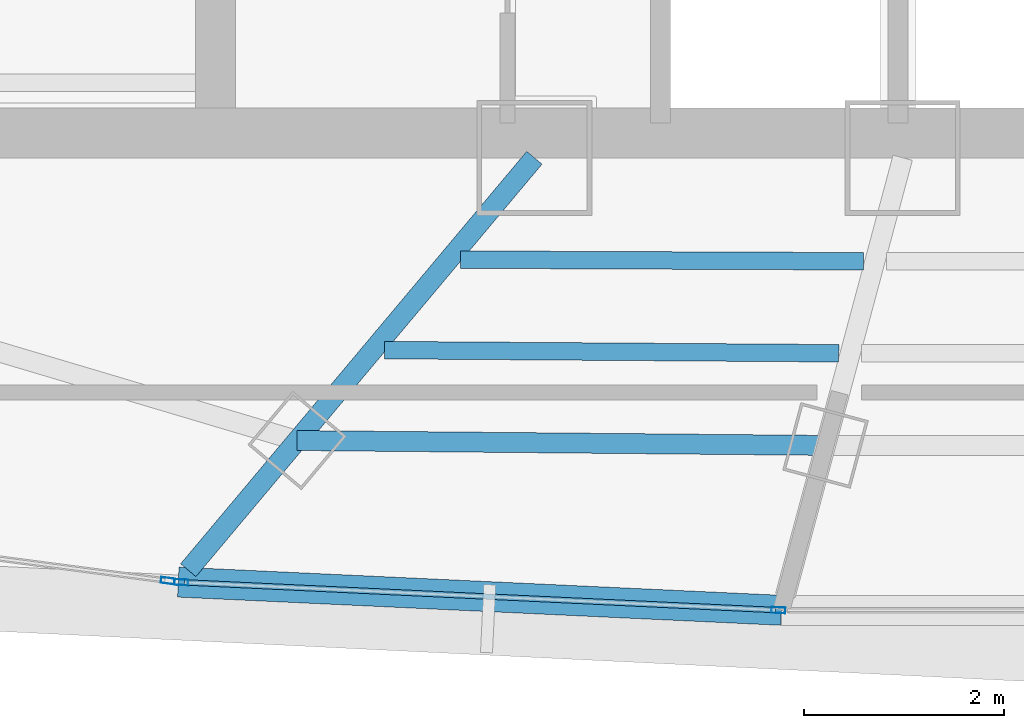
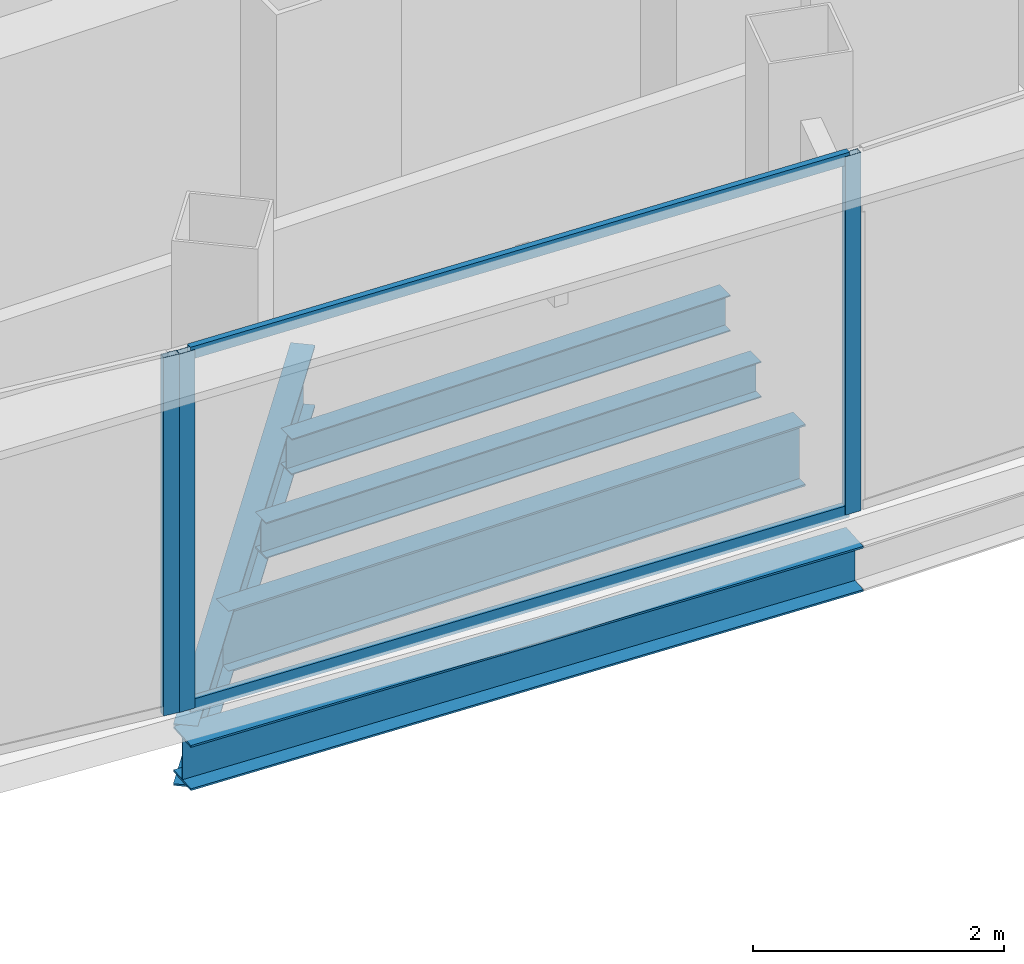
# One storey, part 4 of 29: 5 beams, 5 members, 2 elements without a shape of their own.
"""IFC4 building model written with IfcOpenShell, lengths in metres."""

import ifcopenshell
import ifcopenshell.guid

model = None  # the IFC model being written
_history = None  # IfcOwnerHistory: only IFC2X3 demands one
_inside = {}  # id of a spatial element -> (the spatial element, [elements in it])
_under = {}  # id of a project, library or spatial element -> (it, [spatial elements below it])
_declared = {}  # id of a project -> (the project, [libraries it declares])
_typed = {}  # id of a type object -> (the type object, [elements of that type])
_made_of = {}  # id of a material, layer set ... -> (it, [elements and type objects made of it])


def new_model(schema):
    """Start an empty IFC model of exactly this schema.

    Asked for "IFC4X3", IfcOpenShell would pick the latest addendum, in which some entities
    have other attributes; the version numbers below select the first issue.
    IFC2X3 requires an IfcOwnerHistory on every rooted entity: one is made here for all.
    """
    global model, _history
    if schema == "IFC4X3":
        model = ifcopenshell.file(schema_version=(4, 3, 0, 0))
    else:
        model = ifcopenshell.file(schema=schema)
    _inside.clear()
    _under.clear()
    _declared.clear()
    _typed.clear()
    _made_of.clear()
    _history = None
    if model.schema == "IFC2X3":
        org = make("IfcOrganization", Name="unknown")
        user = make(
            "IfcPersonAndOrganization",
            ThePerson=make("IfcPerson", FamilyName="unknown"),
            TheOrganization=org,
        )
        app = make(
            "IfcApplication",
            ApplicationDeveloper=org,
            Version="unknown",
            ApplicationFullName="unknown",
            ApplicationIdentifier="unknown",
        )
        _history = make(
            "IfcOwnerHistory",
            OwningUser=user,
            OwningApplication=app,
            ChangeAction="ADDED",
            CreationDate=0,
        )
    return model


def make(cls, **values):
    """One entity of the class cls with the attributes given. An attribute that is None is left unset."""
    return model.create_entity(
        cls, **{name: value for name, value in values.items() if value is not None}
    )


def rooted(cls, **values):
    """An entity with a GlobalId (a new one), such as an element, a storey or a relation."""
    return make(cls, GlobalId=ifcopenshell.guid.new(), OwnerHistory=_history, **values)


def si_unit(unit_type, name, prefix=None):
    """IfcSIUnit, for example si_unit("LENGTHUNIT", "METRE", prefix="MILLI")."""
    return make("IfcSIUnit", UnitType=unit_type, Prefix=prefix, Name=name)


def assignment(units):
    """IfcUnitAssignment: the units of a project."""
    return None if units is None else make("IfcUnitAssignment", Units=units)


def point(xyz):
    """IfcCartesianPoint."""
    return None if xyz is None else make("IfcCartesianPoint", Coordinates=xyz)


def direction(xyz):
    """IfcDirection."""
    return None if xyz is None else make("IfcDirection", DirectionRatios=xyz)


def frame(location, z_axis=None, x_axis=None):
    """IfcAxis2Placement3D, a coordinate frame: its origin and axes. An axis left out is left unset."""
    return make(
        "IfcAxis2Placement3D",
        Location=point(location),
        Axis=direction(z_axis),
        RefDirection=direction(x_axis),
    )


def frame_2d(location, x_axis=None):
    """IfcAxis2Placement2D, a coordinate frame in the plane: its origin and x axis."""
    return make(
        "IfcAxis2Placement2D", Location=point(location), RefDirection=direction(x_axis)
    )


def origin():
    """The frame at (0, 0, 0) with its axes left unset."""
    return frame((0.0, 0.0, 0.0))


def origin_2d():
    """The frame at (0, 0) in the plane with its x axis left unset."""
    return frame_2d((0.0, 0.0))


def place(relative_to, where):
    """IfcLocalPlacement: puts the frame where relative to a parent placement (None: the world)."""
    return make(
        "IfcLocalPlacement", PlacementRelTo=relative_to, RelativePlacement=where
    )


def context(
    kind, dimensions, precision=None, world=None, true_north=None, identifier=None
):
    """IfcGeometricRepresentationContext, for example the 3D "Model" context."""
    return make(
        "IfcGeometricRepresentationContext",
        ContextIdentifier=identifier,
        ContextType=kind,
        CoordinateSpaceDimension=dimensions,
        Precision=precision,
        WorldCoordinateSystem=world,
        TrueNorth=true_north,
    )


def subcontext(parent, identifier, kind, view, scale=None):
    """IfcGeometricRepresentationSubContext, for example "Body" below "Model"."""
    return make(
        "IfcGeometricRepresentationSubContext",
        ContextIdentifier=identifier,
        ContextType=kind,
        ParentContext=parent,
        TargetScale=scale,
        TargetView=view,
    )


def project(units=None, contexts=None):
    """IfcProject with its units and contexts."""
    return rooted(
        "IfcProject",
        Name="project",
        RepresentationContexts=contexts,
        UnitsInContext=assignment(units),
    )


def spatial(cls, under=None, at=None, **own):
    """A site, building, storey or space (cls), placed at a placement, below another one or the project."""
    s = rooted(cls, ObjectPlacement=at, **own)
    if under is not None:
        _under.setdefault(under.id(), (under, []))[1].append(s)
    return s


def profile(cls, at=None, kind="AREA", **sizes):
    """A parametric profile (cls). Its sizes go by their IFC names, for example OverallWidth=200.0."""
    return make(cls, ProfileType=kind, Position=at, **sizes)


def hollow_rectangle(**sizes):
    """IfcRectangleHollowProfileDef."""
    return profile("IfcRectangleHollowProfileDef", **sizes)


def i_section(**sizes):
    """IfcIShapeProfileDef."""
    return profile("IfcIShapeProfileDef", **sizes)


def extrude(swept, where, along, depth):
    """IfcExtrudedAreaSolid: the profile swept, set in the frame where, extruded along a direction by depth."""
    return make(
        "IfcExtrudedAreaSolid",
        SweptArea=swept,
        Position=where,
        ExtrudedDirection=direction(along),
        Depth=depth,
    )


def shape(context_of_items, identifier, shape_type, items):
    """IfcShapeRepresentation: the items that make up one representation, for example the "Body"."""
    return make(
        "IfcShapeRepresentation",
        ContextOfItems=context_of_items,
        RepresentationIdentifier=identifier,
        RepresentationType=shape_type,
        Items=items,
    )


def source(mapping_origin, context_of_items, identifier, shape_type, items):
    """IfcRepresentationMap: a shape defined once, which mapped items show again and again."""
    return make(
        "IfcRepresentationMap",
        MappingOrigin=mapping_origin,
        MappedRepresentation=shape(context_of_items, identifier, shape_type, items),
    )


def transform(
    local_origin,
    x_axis=None,
    y_axis=None,
    z_axis=None,
    scale=None,
    scale2=None,
    scale3=None,
    uniform=True,
):
    """IfcCartesianTransformationOperator3D, or its non-uniform kind. x_axis, y_axis, z_axis: its Axis1, 2, 3."""
    if uniform:
        return make(
            "IfcCartesianTransformationOperator3D",
            Axis1=direction(x_axis),
            Axis2=direction(y_axis),
            LocalOrigin=point(local_origin),
            Scale=scale,
            Axis3=direction(z_axis),
        )
    return make(
        "IfcCartesianTransformationOperator3DnonUniform",
        Axis1=direction(x_axis),
        Axis2=direction(y_axis),
        LocalOrigin=point(local_origin),
        Scale=scale,
        Axis3=direction(z_axis),
        Scale2=scale2,
        Scale3=scale3,
    )


def mapped(mapping_source, mapping_target):
    """IfcMappedItem: shows the shape of a source again, moved by a transform."""
    return make(
        "IfcMappedItem", MappingSource=mapping_source, MappingTarget=mapping_target
    )


def material(Name=None, Category=None):
    """IfcMaterial."""
    return make("IfcMaterial", Name=Name, Category=Category)


def layer(
    of_material, thickness, ventilated=None, Name=None, Category=None, Priority=None
):
    """IfcMaterialLayer: one layer of a wall or slab, of a material (None: an air gap)."""
    return make(
        "IfcMaterialLayer",
        Material=of_material,
        LayerThickness=thickness,
        IsVentilated=ventilated,
        Name=Name,
        Category=Category,
        Priority=Priority,
    )


def layer_set(layers, Name=None):
    """IfcMaterialLayerSet."""
    return make("IfcMaterialLayerSet", MaterialLayers=layers, LayerSetName=Name)


def material_profile(
    of_material, cross_section, Name=None, Category=None, Priority=None
):
    """IfcMaterialProfile: a cross section and its material."""
    return make(
        "IfcMaterialProfile",
        Name=Name,
        Material=of_material,
        Profile=cross_section,
        Priority=Priority,
        Category=Category,
    )


def profile_set(profiles, Name=None, composite=None):
    """IfcMaterialProfileSet."""
    return make(
        "IfcMaterialProfileSet",
        Name=Name,
        MaterialProfiles=profiles,
        CompositeProfile=composite,
    )


def made_of(thing, what):
    """Note that an element or type object is made of a material, layer set ...; save() writes the relation."""
    if what is not None:
        _made_of.setdefault(what.id(), (what, []))[1].append(thing)
    return thing


def type_object(cls, material=None, **own):
    """A type object (cls), such as IfcWallType, which elements share."""
    return made_of(rooted(cls, **own), material)


def element(
    cls,
    number,
    at=None,
    inside=None,
    cuts=None,
    type_object=None,
    material=None,
    context=None,
    identifier="Body",
    shape_type=None,
    held_by="IfcProductDefinitionShape",
    body=None,
    shapes=None,
    **own,
):
    """One element of the class cls, such as IfcWall. Its Tag is "e" and its number.

    at: its placement. inside: the storey or other place that contains it. cuts: it is an
    opening in that element (IfcRelVoidsElement). A single representation is given by context,
    identifier, shape_type and body (its items); several are given by shapes. held_by: the class
    of the entity that holds the representations. save() writes the other relations.
    """
    e = rooted(cls, Tag="e%d" % number, ObjectPlacement=at, **own)
    if body is not None:
        shapes = [shape(context, identifier, shape_type, body)]
    if shapes is not None:
        e.Representation = make(held_by, Representations=shapes)
    if inside is not None:
        _inside.setdefault(inside.id(), (inside, []))[1].append(e)
    if cuts is not None:
        rooted(
            "IfcRelVoidsElement", RelatingBuildingElement=cuts, RelatedOpeningElement=e
        )
    if type_object is not None:
        _typed.setdefault(type_object.id(), (type_object, []))[1].append(e)
    return made_of(e, material)


def aggregate(whole, parts):
    """IfcRelAggregates: a whole, such as a stair, and the parts it consists of."""
    return rooted("IfcRelAggregates", RelatingObject=whole, RelatedObjects=parts)


def save(model, path):
    """Write the relations noted so far, then the file.

    IfcRelAggregates (storeys below a building ...), IfcRelContainedInSpatialStructure (elements
    in a storey), IfcRelDefinesByType, IfcRelAssociatesMaterial and IfcRelDeclares: one each for
    every whole, place, type object, material and project.
    """
    for whole, parts in _under.values():
        aggregate(whole, parts)
    for where, things in _inside.values():
        rooted(
            "IfcRelContainedInSpatialStructure",
            RelatedElements=things,
            RelatingStructure=where,
        )
    for kind, things in _typed.values():
        rooted("IfcRelDefinesByType", RelatedObjects=things, RelatingType=kind)
    for what, things in _made_of.values():
        rooted("IfcRelAssociatesMaterial", RelatedObjects=things, RelatingMaterial=what)
    for by, libraries in _declared.values():
        rooted("IfcRelDeclares", RelatingContext=by, RelatedDefinitions=libraries)
    model.write(path)


model = new_model("IFC4")

# Units and contexts
model_context = context("Model", 3, precision=1e-05, world=origin(), true_north=direction((0.0, 1.0)))
body_context = subcontext(model_context, "Body", "Model", "MODEL_VIEW")
ifc_project = project(units=[si_unit("LENGTHUNIT", "METRE"), si_unit("AREAUNIT", "SQUARE_METRE"), si_unit("VOLUMEUNIT", "CUBIC_METRE"), si_unit("PLANEANGLEUNIT", "RADIAN"), si_unit("MASSUNIT", "GRAM", prefix="KILO"), si_unit("THERMODYNAMICTEMPERATUREUNIT", "KELVIN"), si_unit("POWERUNIT", "WATT")], contexts=[model_context])

# Site, building, storey
site_placement = place(None, origin())
site = spatial("IfcSite", under=ifc_project, at=site_placement, CompositionType="ELEMENT")
building_placement = place(site_placement, origin())
building = spatial("IfcBuilding", under=site, at=building_placement, Name="Yunzhuo Pagoda Commons", CompositionType="ELEMENT")
storey_placement = place(building_placement, frame((0.0, 0.0, 359.260009765625)))
storey = spatial("IfcBuildingStorey", under=building, at=storey_placement, Name="L90", CompositionType="ELEMENT", Elevation=359.260009765625)

# Beams
ifc_material_1 = material(Name="Structural steel Q355B", Category="steel")
ifc_material_profile_1 = material_profile(ifc_material_1, i_section(OverallWidth=0.199951171875, OverallDepth=0.60009765625, WebThickness=0.010986328125, FlangeThickness=0.01708984375, at=origin_2d()), Name="Structural steel Q355B")
ifc_profile_set_1 = profile_set([ifc_material_profile_1], Name="Structural steel Q355B")
beam_type_1 = type_object("IfcBeamType", Name="B-RG3 Beam HN 600x200x11x17", PredefinedType="BEAM", material=ifc_profile_set_1)
shared_shape_1 = source(origin(), body_context, "Body", "SweptSolid", [
    extrude(i_section(OverallWidth=0.199951171875, OverallDepth=0.60009765625, WebThickness=0.010986328125, FlangeThickness=0.01708984375, at=origin_2d()), origin(), (0.0, 0.0, 1.0), 5.286376953125),
])
beam_1_placement = place(storey_placement, frame((40.214599609375, 24.421630859375, -0.56005859375), z_axis=(0.999957341442, -0.009236627946, 0.0), x_axis=(0.009236627946, 0.999957341442, 0.0)))
element("IfcBeam", 1, at=beam_1_placement, inside=storey, type_object=beam_type_1, Name="L90 column-ring beam 1", PredefinedType="BEAM", context=body_context, shape_type="MappedRepresentation", body=[
    mapped(shared_shape_1, transform((0.0, 0.0, 0.0), scale=1.0)),
])
ifc_material_profile_2 = material_profile(ifc_material_1, i_section(OverallWidth=0.175048828125, OverallDepth=0.35009765625, WebThickness=0.007080078125, FlangeThickness=0.010986328125, at=origin_2d()), Name="Structural steel Q355B")
ifc_profile_set_2 = profile_set([ifc_material_profile_2], Name="Structural steel Q355B")
beam_type_2 = type_object("IfcBeamType", Name="B-JS2 Joist HN 350x175x7x11", PredefinedType="JOIST", material=ifc_profile_set_2)
shared_shape_2 = source(origin(), body_context, "Body", "SweptSolid", [
    extrude(i_section(OverallWidth=0.175048828125, OverallDepth=0.35009765625, WebThickness=0.007080078125, FlangeThickness=0.010986328125, at=origin_2d()), origin(), (0.0, 0.0, 1.0), 4.03076171875),
])
beam_2_placement = place(storey_placement, frame((41.848388671875, 26.231201171875, -0.43505859375), z_axis=(0.999991518197, -0.004118680996, 0.0), x_axis=(0.004118680996, 0.999991518197, 0.0)))
element("IfcBeam", 2, at=beam_2_placement, inside=storey, type_object=beam_type_2, Name="L90 composite ring joist 1.1", PredefinedType="JOIST", context=body_context, shape_type="MappedRepresentation", body=[
    mapped(shared_shape_2, transform((0.0, 0.0, 0.0), scale=1.0)),
])
shared_shape_3 = source(origin(), body_context, "Body", "SweptSolid", [
    extrude(i_section(OverallWidth=0.175048828125, OverallDepth=0.35009765625, WebThickness=0.007080078125, FlangeThickness=0.010986328125, at=origin_2d()), origin(), (0.0, 0.0, 1.0), 4.54345703125),
])
beam_3_placement = place(storey_placement, frame((41.089111328125, 25.325927734375, -0.43505859375), z_axis=(0.999975976237, -0.006931590593, 0.0), x_axis=(0.006931590593, 0.999975976237, 0.0)))
element("IfcBeam", 3, at=beam_3_placement, inside=storey, type_object=beam_type_2, Name="L90 composite ring joist 2.1", PredefinedType="JOIST", context=body_context, shape_type="MappedRepresentation", body=[
    mapped(shared_shape_3, transform((0.0, 0.0, 0.0), scale=1.0)),
])
shared_shape_4 = source(origin(), body_context, "Body", "SweptSolid", [
    extrude(i_section(OverallWidth=0.199951171875, OverallDepth=0.60009765625, WebThickness=0.010986328125, FlangeThickness=0.01708984375, at=origin_2d()), origin(), (0.0, 0.0, 1.0), 5.385986328125),
])
beam_4_placement = place(storey_placement, frame((39.125732421875, 23.124267578125, -0.56005859375), z_axis=(0.642815681487, 0.766020887205, 0.0), x_axis=(-0.766020887205, 0.642815681487, 0.0)))
element("IfcBeam", 4, at=beam_4_placement, inside=storey, type_object=beam_type_1, Name="L90 radial floor girder F1C1", PredefinedType="BEAM", context=body_context, shape_type="MappedRepresentation", body=[
    mapped(shared_shape_4, transform((0.0, 0.0, 0.0), scale=1.0)),
])
ifc_material_profile_3 = material_profile(ifc_material_1, i_section(OverallWidth=0.300048828125, OverallDepth=0.43994140625, WebThickness=0.010986328125, FlangeThickness=0.01806640625, at=origin_2d()), Name="Structural steel Q355B")
ifc_profile_set_3 = profile_set([ifc_material_profile_3], Name="Structural steel Q355B")
beam_type_3 = type_object("IfcBeamType", Name="B-SP2 Beam HM 440x300x11x18", PredefinedType="BEAM", material=ifc_profile_set_3)
shared_shape_5 = source(origin(), body_context, "Body", "SweptSolid", [
    extrude(i_section(OverallWidth=0.300048828125, OverallDepth=0.43994140625, WebThickness=0.010986328125, FlangeThickness=0.01806640625, at=origin_2d()), origin(), (0.0, 0.0, 1.0), 6.039306640625),
])
beam_5_placement = place(storey_placement, frame((39.026123046875, 23.00537109375, -0.47998046875), z_axis=(0.998909369729, -0.046691231163, 0.0), x_axis=(0.046691231163, 0.998909369729, 0.0)))
element("IfcBeam", 5, at=beam_5_placement, inside=storey, type_object=beam_type_3, Name="L90 facade edge spandrel beam F1.1", PredefinedType="BEAM", context=body_context, shape_type="MappedRepresentation", body=[
    mapped(shared_shape_5, transform((0.0, 0.0, 0.0), scale=1.0)),
])

# Curtain wall, members
ifc_material_2 = material(Name="Anodized aluminium 6063-T6", Category="aluminium")
ifc_layer = layer(ifc_material_2, 0.139892578125)
ifc_layer_set = layer_set([ifc_layer], Name="Anodized aluminium 6063-T6")
curtain_wall_type = type_object("IfcCurtainWallType", Name="CW-HI High-Zone Ribbon Curtain Wall", PredefinedType="NOTDEFINED", material=ifc_layer_set)
curtain_wall_1_placement = place(storey_placement, origin())
curtain_wall_1 = element("IfcCurtainWall", 6, at=curtain_wall_1_placement, inside=storey, type_object=curtain_wall_type, Name="L90 curtain wall CW-L90-F1B2", PredefinedType="NOTDEFINED")
ifc_material_profile_4 = material_profile(ifc_material_2, hollow_rectangle(XDim=0.06005859375, YDim=0.139892578125, WallThickness=0.00341796875, at=origin_2d()), Name="Anodized aluminium 6063-T6")
ifc_profile_set_4 = profile_set([ifc_material_profile_4], Name="Anodized aluminium 6063-T6")
member_type_1 = type_object("IfcMemberType", Name="CW-HI-M Mullion RHS 140x60x3.5", PredefinedType="MULLION", material=ifc_profile_set_4)
shared_shape_6 = source(origin(), body_context, "Body", "SweptSolid", [
    extrude(hollow_rectangle(XDim=0.06005859375, YDim=0.139892578125, WallThickness=0.00341796875, at=origin_2d()), origin(), (0.0, 0.0, 1.0), 3.489990234375),
])
member_1_placement = place(storey_placement, frame((39.05615234375, 23.00390625, 0.0), z_axis=(0.0, 0.0, 1.0), x_axis=(0.046711544825, 0.998908420017, 0.0)))
member_1 = element("IfcMember", 7, at=member_1_placement, type_object=member_type_1, Name="CW mullion 1", PredefinedType="MULLION", context=body_context, shape_type="MappedRepresentation", body=[
    mapped(shared_shape_6, transform((0.0, 0.0, 0.0), scale=1.0)),
])
member_2_placement = place(storey_placement, frame((45.02880859375, 22.724609375, 0.0), z_axis=(0.0, 0.0, 1.0), x_axis=(0.046711544825, 0.998908420017, 0.0)))
member_2 = element("IfcMember", 8, at=member_2_placement, type_object=member_type_1, Name="CW mullion 2", PredefinedType="MULLION", context=body_context, shape_type="MappedRepresentation", body=[
    mapped(shared_shape_6, transform((0.0, 0.0, 0.0), scale=1.0)),
])

# Curtain wall, member
curtain_wall_2_placement = place(storey_placement, origin())
curtain_wall_2 = element("IfcCurtainWall", 9, at=curtain_wall_2_placement, inside=storey, type_object=curtain_wall_type, Name="L90 curtain wall CW-L90-F1B1", PredefinedType="NOTDEFINED")
member_3_placement = place(storey_placement, frame((38.922119140625, 23.01904296875, 0.0), z_axis=(0.0, 0.0, 1.0), x_axis=(0.130505551679, 0.991447578534, 0.0)))
member_3 = element("IfcMember", 10, at=member_3_placement, type_object=member_type_1, Name="CW mullion 2", PredefinedType="MULLION", context=body_context, shape_type="MappedRepresentation", body=[
    mapped(shared_shape_6, transform((0.0, 0.0, 0.0), scale=1.0)),
])
aggregate(curtain_wall_2, [member_3])

# Member
ifc_material_profile_5 = material_profile(ifc_material_2, hollow_rectangle(XDim=0.054931640625, YDim=0.1201171875, WallThickness=0.00341796875, at=origin_2d()), Name="Anodized aluminium 6063-T6")
ifc_profile_set_5 = profile_set([ifc_material_profile_5], Name="Anodized aluminium 6063-T6")
member_type_2 = type_object("IfcMemberType", Name="CW-HI-T Transom RHS 120x55x3.5", PredefinedType="USERDEFINED", material=ifc_profile_set_5)
shared_shape_7 = source(origin(), body_context, "Body", "SweptSolid", [
    extrude(hollow_rectangle(XDim=0.054931640625, YDim=0.1201171875, WallThickness=0.00341796875, at=origin_2d()), origin(), (0.0, 0.0, 1.0), 5.919189453125),
])
member_4_placement = place(storey_placement, frame((39.086181640625, 23.0029296875, 0.027587890625), z_axis=(0.998905524307, -0.046773427391, 0.0), x_axis=(0.046773427391, 0.998905524307, 0.0)))
member_4 = element("IfcMember", 11, at=member_4_placement, type_object=member_type_2, Name="CW transom 1.1", ObjectType="TRANSOM", PredefinedType="USERDEFINED", context=body_context, shape_type="MappedRepresentation", body=[
    mapped(shared_shape_7, transform((0.0, 0.0, 0.0), scale=1.0)),
])

member_5_placement = place(storey_placement, frame((39.086181640625, 23.0029296875, 3.46240234375), z_axis=(0.998905524307, -0.046773427391, 0.0), x_axis=(0.046773427391, 0.998905524307, 0.0)))
member_5 = element("IfcMember", 12, at=member_5_placement, type_object=member_type_2, Name="CW transom 1.2", ObjectType="TRANSOM", PredefinedType="USERDEFINED", context=body_context, shape_type="MappedRepresentation", body=[
    mapped(shared_shape_7, transform((0.0, 0.0, 0.0), scale=1.0)),
])

aggregate(curtain_wall_1, [member_1, member_2, member_4, member_5])

save(model, "model.ifc")
